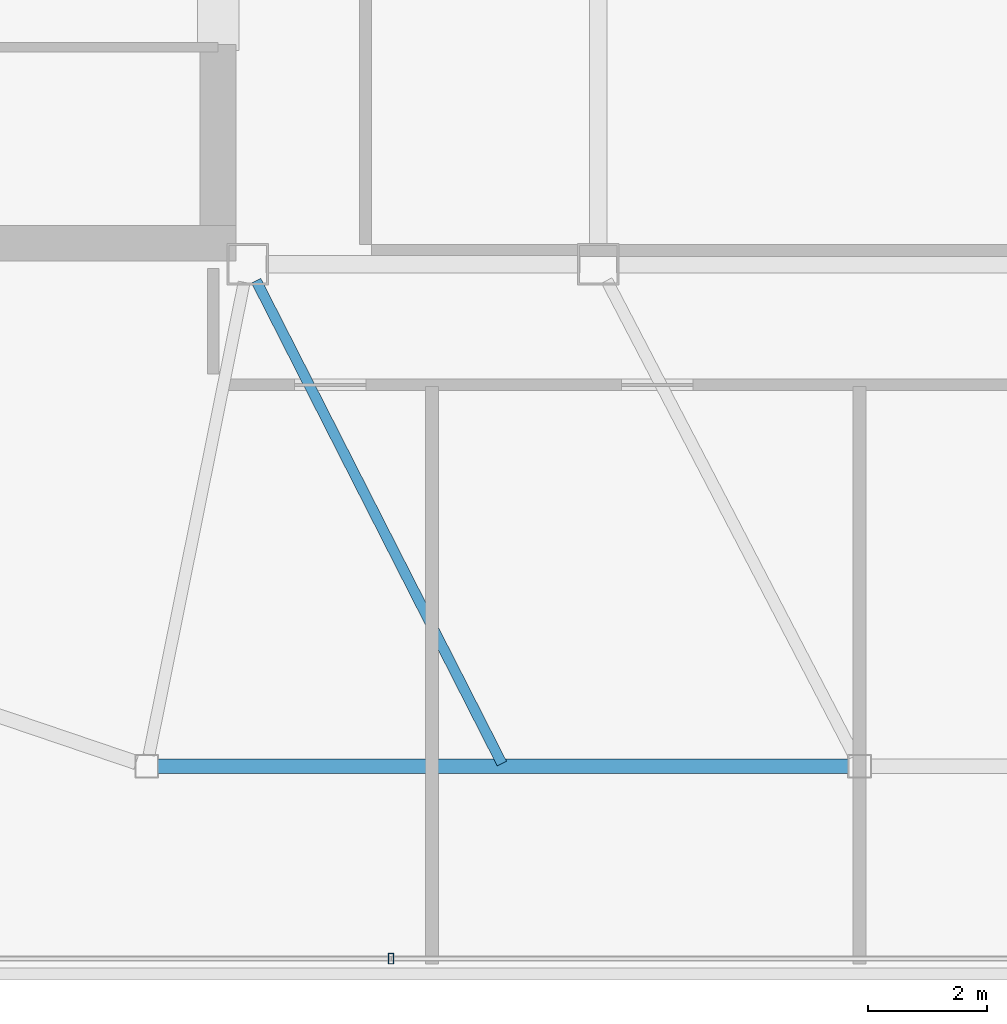
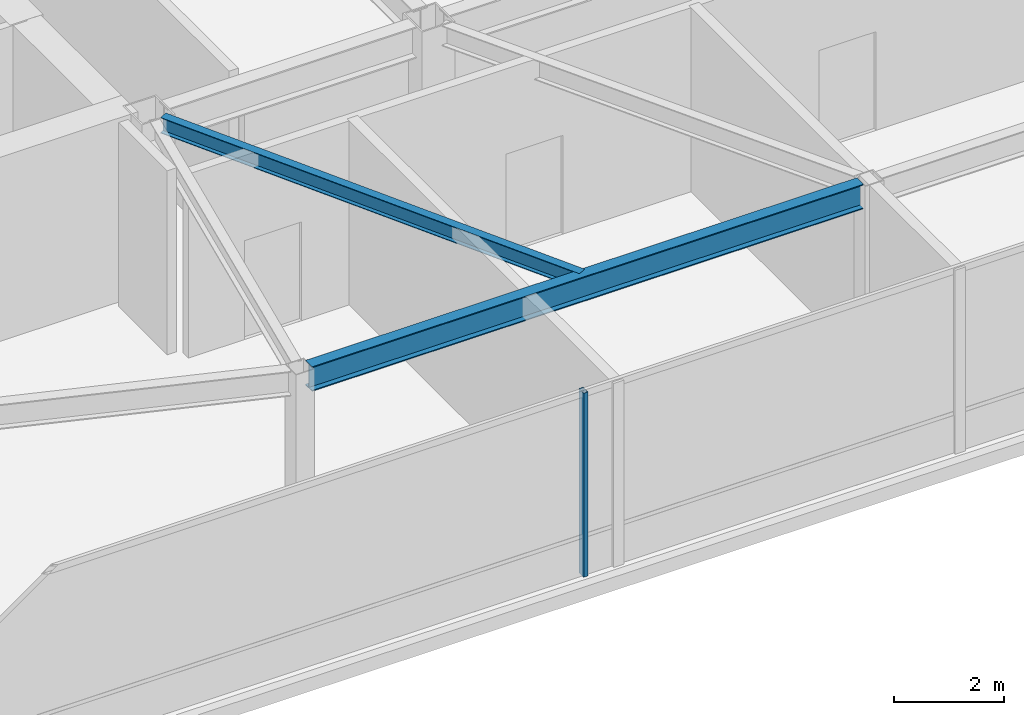
# One storey, part 4 of 22: 2 beams, 1 member, 1 element without a shape of its own.
"""IFC4 building model written with IfcOpenShell, lengths in metres."""

from ifc_helpers import new_model, si_unit, direction, frame, origin, origin_2d, place, context, subcontext, project, spatial, hollow_rectangle, i_section, extrude, material, layer, layer_set, material_profile, profile_set, type_object, element, aggregate, save


model = new_model("IFC4")

# Units and contexts
model_context = context("Model", 3, precision=1e-05, world=origin(), true_north=direction((0.0, 1.0)))
body_context = subcontext(model_context, "Body", "Model", "MODEL_VIEW")
ifc_project = project(units=[si_unit("LENGTHUNIT", "METRE"), si_unit("AREAUNIT", "SQUARE_METRE"), si_unit("VOLUMEUNIT", "CUBIC_METRE"), si_unit("PLANEANGLEUNIT", "RADIAN"), si_unit("MASSUNIT", "GRAM", prefix="KILO")], contexts=[model_context])

# Site, building, storey
site_placement = place(None, origin())
site = spatial("IfcSite", under=ifc_project, at=site_placement, CompositionType="ELEMENT")
building_placement = place(site_placement, origin())
building = spatial("IfcBuilding", under=site, at=building_placement, Name="Tavrogorsk Clinical Tower", CompositionType="ELEMENT")
storey_placement = place(building_placement, frame((0.0, 0.0, 339.800048828125)))
storey = spatial("IfcBuildingStorey", under=building, at=storey_placement, Name="L79", CompositionType="ELEMENT", Elevation=339.800048828125)

# Curtain wall, member
ifc_material_1 = material(Name="Anodised aluminium and triple IGU glazing", Category="aluminium")
ifc_layer = layer(ifc_material_1, 0.179931640625)
ifc_layer_set = layer_set([ifc_layer], Name="Anodised aluminium and triple IGU glazing")
curtain_wall_type = type_object("IfcCurtainWallType", Name="CW6_TmdLantern", PredefinedType="NOTDEFINED", material=ifc_layer_set)
curtain_wall_placement = place(storey_placement, origin())
curtain_wall = element("IfcCurtainWall", 1, at=curtain_wall_placement, inside=storey, type_object=curtain_wall_type, Name="L79 Curtain Wall CW-L79-DRUM-8", PredefinedType="NOTDEFINED")
ifc_material_2 = material(Name="Anodised aluminium alloy AW-6060", Category="aluminium")
ifc_material_profile_1 = material_profile(ifc_material_2, hollow_rectangle(XDim=0.090087890625, YDim=0.179931640625, WallThickness=0.00634765625, at=origin_2d()), Name="RHS-180x90x6.3")
ifc_profile_set_1 = profile_set([ifc_material_profile_1], Name="Anodised aluminium alloy AW-6060")
member_type = type_object("IfcMemberType", Name="CwMullion_180x90", PredefinedType="MULLION", material=ifc_profile_set_1)
member_placement = place(storey_placement, frame((-7.891357421875, -18.0400390625, 0.0), z_axis=(0.0, 0.0, 1.0), x_axis=(-1.0, 0.0, 0.0)))
member = element("IfcMember", 2, at=member_placement, type_object=member_type, Name="CW-L79-DRUM-8 Mullion 3", PredefinedType="MULLION", context=body_context, shape_type="SweptSolid", body=[
    extrude(hollow_rectangle(XDim=0.090087890625, YDim=0.179931640625, WallThickness=0.00634765625, at=origin_2d()), origin(), (0.0, 0.0, 1.0), 4.099853515625),
])
aggregate(curtain_wall, [member])

# Beams
ifc_material_3 = material(Name="Structural steel S355", Category="steel")
ifc_material_profile_2 = material_profile(ifc_material_3, i_section(OverallWidth=0.175048828125, OverallDepth=0.35009765625, WebThickness=0.009521484375, FlangeThickness=0.013916015625, at=origin_2d()), Name="B-350x175x9.5x14")
ifc_profile_set_2 = profile_set([ifc_material_profile_2], Name="Structural steel S355")
beam_type_1 = type_object("IfcBeamType", Name="SecondaryJoist_B350", PredefinedType="JOIST", material=ifc_profile_set_2)
beam_1_placement = place(storey_placement, frame((-10.159423828125, -6.626220703125, 3.925048828125), z_axis=(0.4535299827, -0.891241019474, 0.0), x_axis=(0.891241019474, 0.4535299827, 0.0)))
element("IfcBeam", 3, at=beam_1_placement, inside=storey, type_object=beam_type_1, Name="L79 Crown Secondary Joist 01", PredefinedType="JOIST", context=body_context, shape_type="SweptSolid", body=[
    extrude(i_section(OverallWidth=0.175048828125, OverallDepth=0.35009765625, WebThickness=0.009521484375, FlangeThickness=0.013916015625, at=origin_2d()), origin(), (0.0, 0.0, 1.0), 9.12109375),
])
ifc_material_4 = material(Name="Structural steel S390", Category="steel")
ifc_material_profile_3 = material_profile(ifc_material_4, i_section(OverallWidth=0.239990234375, OverallDepth=0.550048828125, WebThickness=0.013916015625, FlangeThickness=0.02197265625, at=origin_2d()), Name="B-550x240x14x22")
ifc_profile_set_3 = profile_set([ifc_material_profile_3], Name="Structural steel S390")
beam_type_2 = type_object("IfcBeamType", Name="SpandrelBeam_B550", PredefinedType="SPANDREL", material=ifc_profile_set_3)
beam_2_placement = place(storey_placement, frame((-11.81005859375, -14.800048828125, 3.824951171875), z_axis=(1.0, 0.0, 0.0), x_axis=(0.0, 1.0, 0.0)))
element("IfcBeam", 4, at=beam_2_placement, inside=storey, type_object=beam_type_2, Name="L79 Crown Spandrel Beam 01", PredefinedType="SPANDREL", context=body_context, shape_type="SweptSolid", body=[
    extrude(i_section(OverallWidth=0.239990234375, OverallDepth=0.550048828125, WebThickness=0.013916015625, FlangeThickness=0.02197265625, at=origin_2d()), origin(), (0.0, 0.0, 1.0), 11.6201171875),
])

save(model, "model.ifc")
